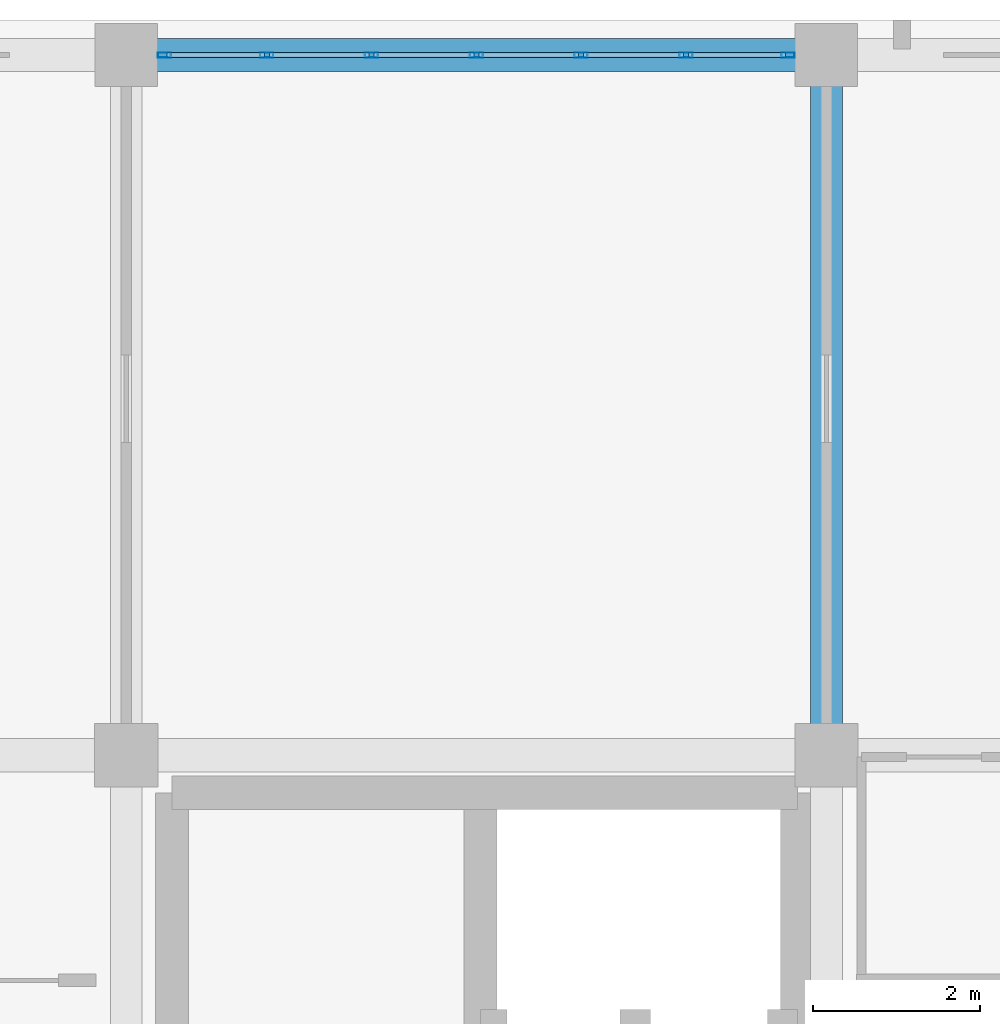
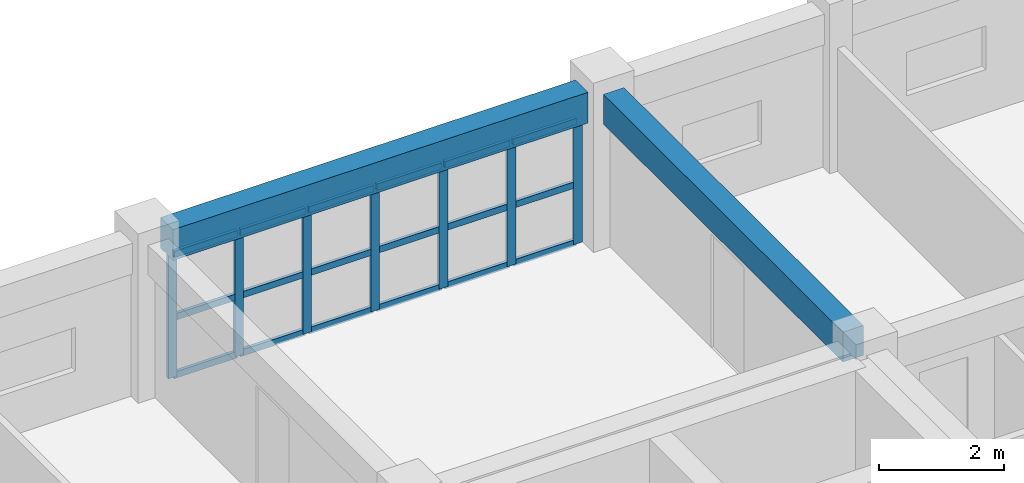
# One storey, part 90 of 200: 25 members, 2 beams, 1 element without a shape of its own.
"""IFC4 building model written with IfcOpenShell, lengths in metres."""

import ifcopenshell
import ifcopenshell.guid

model = None  # the IFC model being written
_history = None  # IfcOwnerHistory: only IFC2X3 demands one
_inside = {}  # id of a spatial element -> (the spatial element, [elements in it])
_under = {}  # id of a project, library or spatial element -> (it, [spatial elements below it])
_declared = {}  # id of a project -> (the project, [libraries it declares])
_typed = {}  # id of a type object -> (the type object, [elements of that type])
_made_of = {}  # id of a material, layer set ... -> (it, [elements and type objects made of it])


def new_model(schema):
    """Start an empty IFC model of exactly this schema.

    Asked for "IFC4X3", IfcOpenShell would pick the latest addendum, in which some entities
    have other attributes; the version numbers below select the first issue.
    IFC2X3 requires an IfcOwnerHistory on every rooted entity: one is made here for all.
    """
    global model, _history
    if schema == "IFC4X3":
        model = ifcopenshell.file(schema_version=(4, 3, 0, 0))
    else:
        model = ifcopenshell.file(schema=schema)
    _inside.clear()
    _under.clear()
    _declared.clear()
    _typed.clear()
    _made_of.clear()
    _history = None
    if model.schema == "IFC2X3":
        org = make("IfcOrganization", Name="unknown")
        user = make(
            "IfcPersonAndOrganization",
            ThePerson=make("IfcPerson", FamilyName="unknown"),
            TheOrganization=org,
        )
        app = make(
            "IfcApplication",
            ApplicationDeveloper=org,
            Version="unknown",
            ApplicationFullName="unknown",
            ApplicationIdentifier="unknown",
        )
        _history = make(
            "IfcOwnerHistory",
            OwningUser=user,
            OwningApplication=app,
            ChangeAction="ADDED",
            CreationDate=0,
        )
    return model


def make(cls, **values):
    """One entity of the class cls with the attributes given. An attribute that is None is left unset."""
    return model.create_entity(
        cls, **{name: value for name, value in values.items() if value is not None}
    )


def rooted(cls, **values):
    """An entity with a GlobalId (a new one), such as an element, a storey or a relation."""
    return make(cls, GlobalId=ifcopenshell.guid.new(), OwnerHistory=_history, **values)


def si_unit(unit_type, name, prefix=None):
    """IfcSIUnit, for example si_unit("LENGTHUNIT", "METRE", prefix="MILLI")."""
    return make("IfcSIUnit", UnitType=unit_type, Prefix=prefix, Name=name)


def assignment(units):
    """IfcUnitAssignment: the units of a project."""
    return None if units is None else make("IfcUnitAssignment", Units=units)


def point(xyz):
    """IfcCartesianPoint."""
    return None if xyz is None else make("IfcCartesianPoint", Coordinates=xyz)


def direction(xyz):
    """IfcDirection."""
    return None if xyz is None else make("IfcDirection", DirectionRatios=xyz)


def frame(location, z_axis=None, x_axis=None):
    """IfcAxis2Placement3D, a coordinate frame: its origin and axes. An axis left out is left unset."""
    return make(
        "IfcAxis2Placement3D",
        Location=point(location),
        Axis=direction(z_axis),
        RefDirection=direction(x_axis),
    )


def frame_2d(location, x_axis=None):
    """IfcAxis2Placement2D, a coordinate frame in the plane: its origin and x axis."""
    return make(
        "IfcAxis2Placement2D", Location=point(location), RefDirection=direction(x_axis)
    )


def origin():
    """The frame at (0, 0, 0) with its axes left unset."""
    return frame((0.0, 0.0, 0.0))


def origin_2d():
    """The frame at (0, 0) in the plane with its x axis left unset."""
    return frame_2d((0.0, 0.0))


def place(relative_to, where):
    """IfcLocalPlacement: puts the frame where relative to a parent placement (None: the world)."""
    return make(
        "IfcLocalPlacement", PlacementRelTo=relative_to, RelativePlacement=where
    )


def context(
    kind, dimensions, precision=None, world=None, true_north=None, identifier=None
):
    """IfcGeometricRepresentationContext, for example the 3D "Model" context."""
    return make(
        "IfcGeometricRepresentationContext",
        ContextIdentifier=identifier,
        ContextType=kind,
        CoordinateSpaceDimension=dimensions,
        Precision=precision,
        WorldCoordinateSystem=world,
        TrueNorth=true_north,
    )


def subcontext(parent, identifier, kind, view, scale=None):
    """IfcGeometricRepresentationSubContext, for example "Body" below "Model"."""
    return make(
        "IfcGeometricRepresentationSubContext",
        ContextIdentifier=identifier,
        ContextType=kind,
        ParentContext=parent,
        TargetScale=scale,
        TargetView=view,
    )


def project(units=None, contexts=None):
    """IfcProject with its units and contexts."""
    return rooted(
        "IfcProject",
        Name="project",
        RepresentationContexts=contexts,
        UnitsInContext=assignment(units),
    )


def spatial(cls, under=None, at=None, **own):
    """A site, building, storey or space (cls), placed at a placement, below another one or the project."""
    s = rooted(cls, ObjectPlacement=at, **own)
    if under is not None:
        _under.setdefault(under.id(), (under, []))[1].append(s)
    return s


def profile(cls, at=None, kind="AREA", **sizes):
    """A parametric profile (cls). Its sizes go by their IFC names, for example OverallWidth=200.0."""
    return make(cls, ProfileType=kind, Position=at, **sizes)


def rectangle(**sizes):
    """IfcRectangleProfileDef."""
    return profile("IfcRectangleProfileDef", **sizes)


def hollow_rectangle(**sizes):
    """IfcRectangleHollowProfileDef."""
    return profile("IfcRectangleHollowProfileDef", **sizes)


def extrude(swept, where, along, depth):
    """IfcExtrudedAreaSolid: the profile swept, set in the frame where, extruded along a direction by depth."""
    return make(
        "IfcExtrudedAreaSolid",
        SweptArea=swept,
        Position=where,
        ExtrudedDirection=direction(along),
        Depth=depth,
    )


def shape(context_of_items, identifier, shape_type, items):
    """IfcShapeRepresentation: the items that make up one representation, for example the "Body"."""
    return make(
        "IfcShapeRepresentation",
        ContextOfItems=context_of_items,
        RepresentationIdentifier=identifier,
        RepresentationType=shape_type,
        Items=items,
    )


def material(Name=None, Category=None):
    """IfcMaterial."""
    return make("IfcMaterial", Name=Name, Category=Category)


def layer(
    of_material, thickness, ventilated=None, Name=None, Category=None, Priority=None
):
    """IfcMaterialLayer: one layer of a wall or slab, of a material (None: an air gap)."""
    return make(
        "IfcMaterialLayer",
        Material=of_material,
        LayerThickness=thickness,
        IsVentilated=ventilated,
        Name=Name,
        Category=Category,
        Priority=Priority,
    )


def layer_set(layers, Name=None):
    """IfcMaterialLayerSet."""
    return make("IfcMaterialLayerSet", MaterialLayers=layers, LayerSetName=Name)


def material_profile(
    of_material, cross_section, Name=None, Category=None, Priority=None
):
    """IfcMaterialProfile: a cross section and its material."""
    return make(
        "IfcMaterialProfile",
        Name=Name,
        Material=of_material,
        Profile=cross_section,
        Priority=Priority,
        Category=Category,
    )


def profile_set(profiles, Name=None, composite=None):
    """IfcMaterialProfileSet."""
    return make(
        "IfcMaterialProfileSet",
        Name=Name,
        MaterialProfiles=profiles,
        CompositeProfile=composite,
    )


def made_of(thing, what):
    """Note that an element or type object is made of a material, layer set ...; save() writes the relation."""
    if what is not None:
        _made_of.setdefault(what.id(), (what, []))[1].append(thing)
    return thing


def type_object(cls, material=None, **own):
    """A type object (cls), such as IfcWallType, which elements share."""
    return made_of(rooted(cls, **own), material)


def element(
    cls,
    number,
    at=None,
    inside=None,
    cuts=None,
    type_object=None,
    material=None,
    context=None,
    identifier="Body",
    shape_type=None,
    held_by="IfcProductDefinitionShape",
    body=None,
    shapes=None,
    **own,
):
    """One element of the class cls, such as IfcWall. Its Tag is "e" and its number.

    at: its placement. inside: the storey or other place that contains it. cuts: it is an
    opening in that element (IfcRelVoidsElement). A single representation is given by context,
    identifier, shape_type and body (its items); several are given by shapes. held_by: the class
    of the entity that holds the representations. save() writes the other relations.
    """
    e = rooted(cls, Tag="e%d" % number, ObjectPlacement=at, **own)
    if body is not None:
        shapes = [shape(context, identifier, shape_type, body)]
    if shapes is not None:
        e.Representation = make(held_by, Representations=shapes)
    if inside is not None:
        _inside.setdefault(inside.id(), (inside, []))[1].append(e)
    if cuts is not None:
        rooted(
            "IfcRelVoidsElement", RelatingBuildingElement=cuts, RelatedOpeningElement=e
        )
    if type_object is not None:
        _typed.setdefault(type_object.id(), (type_object, []))[1].append(e)
    return made_of(e, material)


def aggregate(whole, parts):
    """IfcRelAggregates: a whole, such as a stair, and the parts it consists of."""
    return rooted("IfcRelAggregates", RelatingObject=whole, RelatedObjects=parts)


def save(model, path):
    """Write the relations noted so far, then the file.

    IfcRelAggregates (storeys below a building ...), IfcRelContainedInSpatialStructure (elements
    in a storey), IfcRelDefinesByType, IfcRelAssociatesMaterial and IfcRelDeclares: one each for
    every whole, place, type object, material and project.
    """
    for whole, parts in _under.values():
        aggregate(whole, parts)
    for where, things in _inside.values():
        rooted(
            "IfcRelContainedInSpatialStructure",
            RelatedElements=things,
            RelatingStructure=where,
        )
    for kind, things in _typed.values():
        rooted("IfcRelDefinesByType", RelatedObjects=things, RelatingType=kind)
    for what, things in _made_of.values():
        rooted("IfcRelAssociatesMaterial", RelatedObjects=things, RelatingMaterial=what)
    for by, libraries in _declared.values():
        rooted("IfcRelDeclares", RelatingContext=by, RelatedDefinitions=libraries)
    model.write(path)


model = new_model("IFC4")

# Units and contexts
model_context = context("Model", 3, precision=1e-05, world=origin(), true_north=direction((0.0, 1.0)))
body_context = subcontext(model_context, "Body", "Model", "MODEL_VIEW")
ifc_project = project(units=[si_unit("LENGTHUNIT", "METRE"), si_unit("AREAUNIT", "SQUARE_METRE"), si_unit("VOLUMEUNIT", "CUBIC_METRE"), si_unit("PLANEANGLEUNIT", "RADIAN"), si_unit("MASSUNIT", "GRAM", prefix="KILO")], contexts=[model_context])

# Site, building, storey
site_placement = place(None, origin())
site = spatial("IfcSite", under=ifc_project, at=site_placement, CompositionType="ELEMENT")
building_placement = place(site_placement, origin())
building = spatial("IfcBuilding", under=site, at=building_placement, Name="Trelvath General Hospital", CompositionType="ELEMENT")
storey_placement = place(building_placement, frame((0.0, 0.0, 4.800048828125)))
storey = spatial("IfcBuildingStorey", under=building, at=storey_placement, Name="L01", CompositionType="ELEMENT", Elevation=4.800048828125)

# Beams
ifc_material_1 = material(Name="Concrete C35/45", Category="concrete")
ifc_material_profile_1 = material_profile(ifc_material_1, rectangle(XDim=0.3798828125, YDim=0.580078125, at=origin_2d()), Name="RCB380x580")
ifc_profile_set_1 = profile_set([ifc_material_profile_1], Name="Concrete C35/45")
beam_type_1 = type_object("IfcBeamType", Name="Beam RC380x580", PredefinedType="BEAM", material=ifc_profile_set_1)
beam_1_placement = place(storey_placement, frame((50.39990234375, 109.574951171875, 2.72998046875), z_axis=(0.0, 1.0, 0.0), x_axis=(-1.0, 0.0, 0.0)))
element("IfcBeam", 1, at=beam_1_placement, inside=storey, type_object=beam_type_1, Name="Grid Beam BY-106N", PredefinedType="BEAM", context=body_context, shape_type="SweptSolid", body=[
    extrude(rectangle(XDim=0.3798828125, YDim=0.580078125, at=origin_2d()), origin(), (0.0, 0.0, 1.0), 7.655029296875),
])
ifc_material_2 = material(Name="Concrete C35/45", Category="concrete")
ifc_material_profile_2 = material_profile(ifc_material_2, rectangle(XDim=0.39990234375, YDim=0.60009765625, at=origin_2d()), Name="RCB400x600")
ifc_profile_set_2 = profile_set([ifc_material_profile_2], Name="Concrete C35/45")
beam_type_2 = type_object("IfcBeamType", Name="Beam RC400x600", PredefinedType="BEAM", material=ifc_profile_set_2)
beam_2_placement = place(storey_placement, frame((42.3701171875, 117.60009765625, 2.719970703125), z_axis=(1.0, 0.0, 0.0), x_axis=(0.0, 1.0, 0.0)))
element("IfcBeam", 2, at=beam_2_placement, inside=storey, type_object=beam_type_2, Name="Grid Beam BX-105O", PredefinedType="BEAM", context=body_context, shape_type="SweptSolid", body=[
    extrude(rectangle(XDim=0.39990234375, YDim=0.60009765625, at=origin_2d()), origin(), (0.0, 0.0, 1.0), 7.659912109375),
])

# Curtain wall, members
ifc_material_3 = material(Name="Anodised aluminium and low-E glass", Category="aluminium")
ifc_layer = layer(ifc_material_3, 0.159912109375)
ifc_layer_set = layer_set([ifc_layer], Name="Anodised aluminium and low-E glass")
curtain_wall_type = type_object("IfcCurtainWallType", Name="CW Facade 754 242 16", PredefinedType="USERDEFINED", material=ifc_layer_set)
curtain_wall_placement = place(storey_placement, origin())
curtain_wall = element("IfcCurtainWall", 3, at=curtain_wall_placement, inside=storey, type_object=curtain_wall_type, Name="Facade Curtain Wall CW-015", ObjectType="Unitised Glazed Curtain Wall", PredefinedType="USERDEFINED")
ifc_material_4 = material(Name="Anodised aluminium", Category="aluminium")
ifc_material_profile_3 = material_profile(ifc_material_4, hollow_rectangle(XDim=0.06005859375, YDim=0.159912109375, WallThickness=0.00390625, at=origin_2d()), Name="RHS60x160x4")
ifc_profile_set_3 = profile_set([ifc_material_profile_3], Name="Anodised aluminium")
member_type_1 = type_object("IfcMemberType", Name="CurtainMullion 60x160", PredefinedType="MULLION", material=ifc_profile_set_3)
member_1_placement = place(storey_placement, frame((42.4599609375, 117.60009765625, 0.0), z_axis=(0.0, 0.0, 1.0), x_axis=(0.0, 1.0, 0.0)))
member_1 = element("IfcMember", 4, at=member_1_placement, type_object=member_type_1, Name="CW-015 mullion 1", PredefinedType="MULLION", context=body_context, shape_type="SweptSolid", body=[
    extrude(hollow_rectangle(XDim=0.06005859375, YDim=0.159912109375, WallThickness=0.00390625, at=origin_2d()), origin(), (0.0, 0.0, 1.0), 2.419921875),
])
member_2_placement = place(storey_placement, frame((43.686767578125, 117.60009765625, 0.0), z_axis=(0.0, 0.0, 1.0), x_axis=(0.0, 1.0, 0.0)))
member_2 = element("IfcMember", 5, at=member_2_placement, type_object=member_type_1, Name="CW-015 mullion 2", PredefinedType="MULLION", context=body_context, shape_type="SweptSolid", body=[
    extrude(hollow_rectangle(XDim=0.06005859375, YDim=0.159912109375, WallThickness=0.00390625, at=origin_2d()), origin(), (0.0, 0.0, 1.0), 2.419921875),
])
member_3_placement = place(storey_placement, frame((44.943359375, 117.60009765625, 0.0), z_axis=(0.0, 0.0, 1.0), x_axis=(0.0, 1.0, 0.0)))
member_3 = element("IfcMember", 6, at=member_3_placement, type_object=member_type_1, Name="CW-015 mullion 3", PredefinedType="MULLION", context=body_context, shape_type="SweptSolid", body=[
    extrude(hollow_rectangle(XDim=0.06005859375, YDim=0.159912109375, WallThickness=0.00390625, at=origin_2d()), origin(), (0.0, 0.0, 1.0), 2.419921875),
])
member_4_placement = place(storey_placement, frame((46.199951171875, 117.60009765625, 0.0), z_axis=(0.0, 0.0, 1.0), x_axis=(0.0, 1.0, 0.0)))
member_4 = element("IfcMember", 7, at=member_4_placement, type_object=member_type_1, Name="CW-015 mullion 4", PredefinedType="MULLION", context=body_context, shape_type="SweptSolid", body=[
    extrude(hollow_rectangle(XDim=0.06005859375, YDim=0.159912109375, WallThickness=0.00390625, at=origin_2d()), origin(), (0.0, 0.0, 1.0), 2.419921875),
])
member_5_placement = place(storey_placement, frame((47.456787109375, 117.60009765625, 0.0), z_axis=(0.0, 0.0, 1.0), x_axis=(0.0, 1.0, 0.0)))
member_5 = element("IfcMember", 8, at=member_5_placement, type_object=member_type_1, Name="CW-015 mullion 5", PredefinedType="MULLION", context=body_context, shape_type="SweptSolid", body=[
    extrude(hollow_rectangle(XDim=0.06005859375, YDim=0.159912109375, WallThickness=0.00390625, at=origin_2d()), origin(), (0.0, 0.0, 1.0), 2.419921875),
])
member_6_placement = place(storey_placement, frame((48.71337890625, 117.60009765625, 0.0), z_axis=(0.0, 0.0, 1.0), x_axis=(0.0, 1.0, 0.0)))
member_6 = element("IfcMember", 9, at=member_6_placement, type_object=member_type_1, Name="CW-015 mullion 6", PredefinedType="MULLION", context=body_context, shape_type="SweptSolid", body=[
    extrude(hollow_rectangle(XDim=0.06005859375, YDim=0.159912109375, WallThickness=0.00390625, at=origin_2d()), origin(), (0.0, 0.0, 1.0), 2.419921875),
])
member_7_placement = place(storey_placement, frame((49.93994140625, 117.60009765625, 0.0), z_axis=(0.0, 0.0, 1.0), x_axis=(0.0, 1.0, 0.0)))
member_7 = element("IfcMember", 10, at=member_7_placement, type_object=member_type_1, Name="CW-015 mullion 7", PredefinedType="MULLION", context=body_context, shape_type="SweptSolid", body=[
    extrude(hollow_rectangle(XDim=0.06005859375, YDim=0.159912109375, WallThickness=0.00390625, at=origin_2d()), origin(), (0.0, 0.0, 1.0), 2.419921875),
])
ifc_material_5 = material(Name="Anodised aluminium", Category="aluminium")
ifc_material_profile_4 = material_profile(ifc_material_5, hollow_rectangle(XDim=0.06005859375, YDim=0.125, WallThickness=0.00390625, at=origin_2d()), Name="RHS60x125x4")
ifc_profile_set_4 = profile_set([ifc_material_profile_4], Name="Anodised aluminium")
member_type_2 = type_object("IfcMemberType", Name="CurtainTransom 60x125", PredefinedType="USERDEFINED", material=ifc_profile_set_4)
member_8_placement = place(storey_placement, frame((42.489990234375, 117.60009765625, 0.030029296875), z_axis=(1.0, 0.0, 0.0), x_axis=(0.0, 1.0, 0.0)))
member_8 = element("IfcMember", 11, at=member_8_placement, type_object=member_type_2, Name="CW-015 transom 1.1", ObjectType="TRANSOM", PredefinedType="USERDEFINED", context=body_context, shape_type="SweptSolid", body=[
    extrude(hollow_rectangle(XDim=0.06005859375, YDim=0.125, WallThickness=0.00390625, at=origin_2d()), origin(), (0.0, 0.0, 1.0), 1.166748046875),
])
member_9_placement = place(storey_placement, frame((42.489990234375, 117.60009765625, 1.161865234375), z_axis=(1.0, 0.0, 0.0), x_axis=(0.0, 1.0, 0.0)))
member_9 = element("IfcMember", 12, at=member_9_placement, type_object=member_type_2, Name="CW-015 transom 1.2", ObjectType="TRANSOM", PredefinedType="USERDEFINED", context=body_context, shape_type="SweptSolid", body=[
    extrude(hollow_rectangle(XDim=0.06005859375, YDim=0.125, WallThickness=0.00390625, at=origin_2d()), origin(), (0.0, 0.0, 1.0), 1.166748046875),
])
member_10_placement = place(storey_placement, frame((42.489990234375, 117.60009765625, 2.389892578125), z_axis=(1.0, 0.0, 0.0), x_axis=(0.0, 1.0, 0.0)))
member_10 = element("IfcMember", 13, at=member_10_placement, type_object=member_type_2, Name="CW-015 transom 1.3", ObjectType="TRANSOM", PredefinedType="USERDEFINED", context=body_context, shape_type="SweptSolid", body=[
    extrude(hollow_rectangle(XDim=0.06005859375, YDim=0.125, WallThickness=0.00390625, at=origin_2d()), origin(), (0.0, 0.0, 1.0), 1.166748046875),
])
member_11_placement = place(storey_placement, frame((43.716552734375, 117.60009765625, 0.030029296875), z_axis=(1.0, 0.0, 0.0), x_axis=(0.0, 1.0, 0.0)))
member_11 = element("IfcMember", 14, at=member_11_placement, type_object=member_type_2, Name="CW-015 transom 2.1", ObjectType="TRANSOM", PredefinedType="USERDEFINED", context=body_context, shape_type="SweptSolid", body=[
    extrude(hollow_rectangle(XDim=0.06005859375, YDim=0.125, WallThickness=0.00390625, at=origin_2d()), origin(), (0.0, 0.0, 1.0), 1.19677734375),
])
member_12_placement = place(storey_placement, frame((43.716552734375, 117.60009765625, 1.161865234375), z_axis=(1.0, 0.0, 0.0), x_axis=(0.0, 1.0, 0.0)))
member_12 = element("IfcMember", 15, at=member_12_placement, type_object=member_type_2, Name="CW-015 transom 2.2", ObjectType="TRANSOM", PredefinedType="USERDEFINED", context=body_context, shape_type="SweptSolid", body=[
    extrude(hollow_rectangle(XDim=0.06005859375, YDim=0.125, WallThickness=0.00390625, at=origin_2d()), origin(), (0.0, 0.0, 1.0), 1.19677734375),
])
member_13_placement = place(storey_placement, frame((43.716552734375, 117.60009765625, 2.389892578125), z_axis=(1.0, 0.0, 0.0), x_axis=(0.0, 1.0, 0.0)))
member_13 = element("IfcMember", 16, at=member_13_placement, type_object=member_type_2, Name="CW-015 transom 2.3", ObjectType="TRANSOM", PredefinedType="USERDEFINED", context=body_context, shape_type="SweptSolid", body=[
    extrude(hollow_rectangle(XDim=0.06005859375, YDim=0.125, WallThickness=0.00390625, at=origin_2d()), origin(), (0.0, 0.0, 1.0), 1.19677734375),
])
member_14_placement = place(storey_placement, frame((44.973388671875, 117.60009765625, 0.030029296875), z_axis=(1.0, 0.0, 0.0), x_axis=(0.0, 1.0, 0.0)))
member_14 = element("IfcMember", 17, at=member_14_placement, type_object=member_type_2, Name="CW-015 transom 3.1", ObjectType="TRANSOM", PredefinedType="USERDEFINED", context=body_context, shape_type="SweptSolid", body=[
    extrude(hollow_rectangle(XDim=0.06005859375, YDim=0.125, WallThickness=0.00390625, at=origin_2d()), origin(), (0.0, 0.0, 1.0), 1.196533203125),
])
member_15_placement = place(storey_placement, frame((44.973388671875, 117.60009765625, 1.161865234375), z_axis=(1.0, 0.0, 0.0), x_axis=(0.0, 1.0, 0.0)))
member_15 = element("IfcMember", 18, at=member_15_placement, type_object=member_type_2, Name="CW-015 transom 3.2", ObjectType="TRANSOM", PredefinedType="USERDEFINED", context=body_context, shape_type="SweptSolid", body=[
    extrude(hollow_rectangle(XDim=0.06005859375, YDim=0.125, WallThickness=0.00390625, at=origin_2d()), origin(), (0.0, 0.0, 1.0), 1.196533203125),
])
member_16_placement = place(storey_placement, frame((44.973388671875, 117.60009765625, 2.389892578125), z_axis=(1.0, 0.0, 0.0), x_axis=(0.0, 1.0, 0.0)))
member_16 = element("IfcMember", 19, at=member_16_placement, type_object=member_type_2, Name="CW-015 transom 3.3", ObjectType="TRANSOM", PredefinedType="USERDEFINED", context=body_context, shape_type="SweptSolid", body=[
    extrude(hollow_rectangle(XDim=0.06005859375, YDim=0.125, WallThickness=0.00390625, at=origin_2d()), origin(), (0.0, 0.0, 1.0), 1.196533203125),
])
member_17_placement = place(storey_placement, frame((46.22998046875, 117.60009765625, 0.030029296875), z_axis=(1.0, 0.0, 0.0), x_axis=(0.0, 1.0, 0.0)))
member_17 = element("IfcMember", 20, at=member_17_placement, type_object=member_type_2, Name="CW-015 transom 4.1", ObjectType="TRANSOM", PredefinedType="USERDEFINED", context=body_context, shape_type="SweptSolid", body=[
    extrude(hollow_rectangle(XDim=0.06005859375, YDim=0.125, WallThickness=0.00390625, at=origin_2d()), origin(), (0.0, 0.0, 1.0), 1.19677734375),
])
member_18_placement = place(storey_placement, frame((46.22998046875, 117.60009765625, 1.161865234375), z_axis=(1.0, 0.0, 0.0), x_axis=(0.0, 1.0, 0.0)))
member_18 = element("IfcMember", 21, at=member_18_placement, type_object=member_type_2, Name="CW-015 transom 4.2", ObjectType="TRANSOM", PredefinedType="USERDEFINED", context=body_context, shape_type="SweptSolid", body=[
    extrude(hollow_rectangle(XDim=0.06005859375, YDim=0.125, WallThickness=0.00390625, at=origin_2d()), origin(), (0.0, 0.0, 1.0), 1.19677734375),
])
member_19_placement = place(storey_placement, frame((46.22998046875, 117.60009765625, 2.389892578125), z_axis=(1.0, 0.0, 0.0), x_axis=(0.0, 1.0, 0.0)))
member_19 = element("IfcMember", 22, at=member_19_placement, type_object=member_type_2, Name="CW-015 transom 4.3", ObjectType="TRANSOM", PredefinedType="USERDEFINED", context=body_context, shape_type="SweptSolid", body=[
    extrude(hollow_rectangle(XDim=0.06005859375, YDim=0.125, WallThickness=0.00390625, at=origin_2d()), origin(), (0.0, 0.0, 1.0), 1.19677734375),
])
member_20_placement = place(storey_placement, frame((47.486572265625, 117.60009765625, 0.030029296875), z_axis=(1.0, 0.0, 0.0), x_axis=(0.0, 1.0, 0.0)))
member_20 = element("IfcMember", 23, at=member_20_placement, type_object=member_type_2, Name="CW-015 transom 5.1", ObjectType="TRANSOM", PredefinedType="USERDEFINED", context=body_context, shape_type="SweptSolid", body=[
    extrude(hollow_rectangle(XDim=0.06005859375, YDim=0.125, WallThickness=0.00390625, at=origin_2d()), origin(), (0.0, 0.0, 1.0), 1.19677734375),
])
member_21_placement = place(storey_placement, frame((47.486572265625, 117.60009765625, 1.161865234375), z_axis=(1.0, 0.0, 0.0), x_axis=(0.0, 1.0, 0.0)))
member_21 = element("IfcMember", 24, at=member_21_placement, type_object=member_type_2, Name="CW-015 transom 5.2", ObjectType="TRANSOM", PredefinedType="USERDEFINED", context=body_context, shape_type="SweptSolid", body=[
    extrude(hollow_rectangle(XDim=0.06005859375, YDim=0.125, WallThickness=0.00390625, at=origin_2d()), origin(), (0.0, 0.0, 1.0), 1.19677734375),
])
member_22_placement = place(storey_placement, frame((47.486572265625, 117.60009765625, 2.389892578125), z_axis=(1.0, 0.0, 0.0), x_axis=(0.0, 1.0, 0.0)))
member_22 = element("IfcMember", 25, at=member_22_placement, type_object=member_type_2, Name="CW-015 transom 5.3", ObjectType="TRANSOM", PredefinedType="USERDEFINED", context=body_context, shape_type="SweptSolid", body=[
    extrude(hollow_rectangle(XDim=0.06005859375, YDim=0.125, WallThickness=0.00390625, at=origin_2d()), origin(), (0.0, 0.0, 1.0), 1.19677734375),
])
member_23_placement = place(storey_placement, frame((48.743408203125, 117.60009765625, 0.030029296875), z_axis=(1.0, 0.0, 0.0), x_axis=(0.0, 1.0, 0.0)))
member_23 = element("IfcMember", 26, at=member_23_placement, type_object=member_type_2, Name="CW-015 transom 6.1", ObjectType="TRANSOM", PredefinedType="USERDEFINED", context=body_context, shape_type="SweptSolid", body=[
    extrude(hollow_rectangle(XDim=0.06005859375, YDim=0.125, WallThickness=0.00390625, at=origin_2d()), origin(), (0.0, 0.0, 1.0), 1.16650390625),
])
member_24_placement = place(storey_placement, frame((48.743408203125, 117.60009765625, 1.161865234375), z_axis=(1.0, 0.0, 0.0), x_axis=(0.0, 1.0, 0.0)))
member_24 = element("IfcMember", 27, at=member_24_placement, type_object=member_type_2, Name="CW-015 transom 6.2", ObjectType="TRANSOM", PredefinedType="USERDEFINED", context=body_context, shape_type="SweptSolid", body=[
    extrude(hollow_rectangle(XDim=0.06005859375, YDim=0.125, WallThickness=0.00390625, at=origin_2d()), origin(), (0.0, 0.0, 1.0), 1.16650390625),
])
member_25_placement = place(storey_placement, frame((48.743408203125, 117.60009765625, 2.389892578125), z_axis=(1.0, 0.0, 0.0), x_axis=(0.0, 1.0, 0.0)))
member_25 = element("IfcMember", 28, at=member_25_placement, type_object=member_type_2, Name="CW-015 transom 6.3", ObjectType="TRANSOM", PredefinedType="USERDEFINED", context=body_context, shape_type="SweptSolid", body=[
    extrude(hollow_rectangle(XDim=0.06005859375, YDim=0.125, WallThickness=0.00390625, at=origin_2d()), origin(), (0.0, 0.0, 1.0), 1.16650390625),
])
aggregate(curtain_wall, [member_1, member_2, member_3, member_4, member_5, member_6, member_7, member_8, member_9, member_10, member_11, member_12, member_13, member_14, member_15, member_16, member_17, member_18, member_19, member_20, member_21, member_22, member_23, member_24, member_25])

save(model, "model.ifc")
